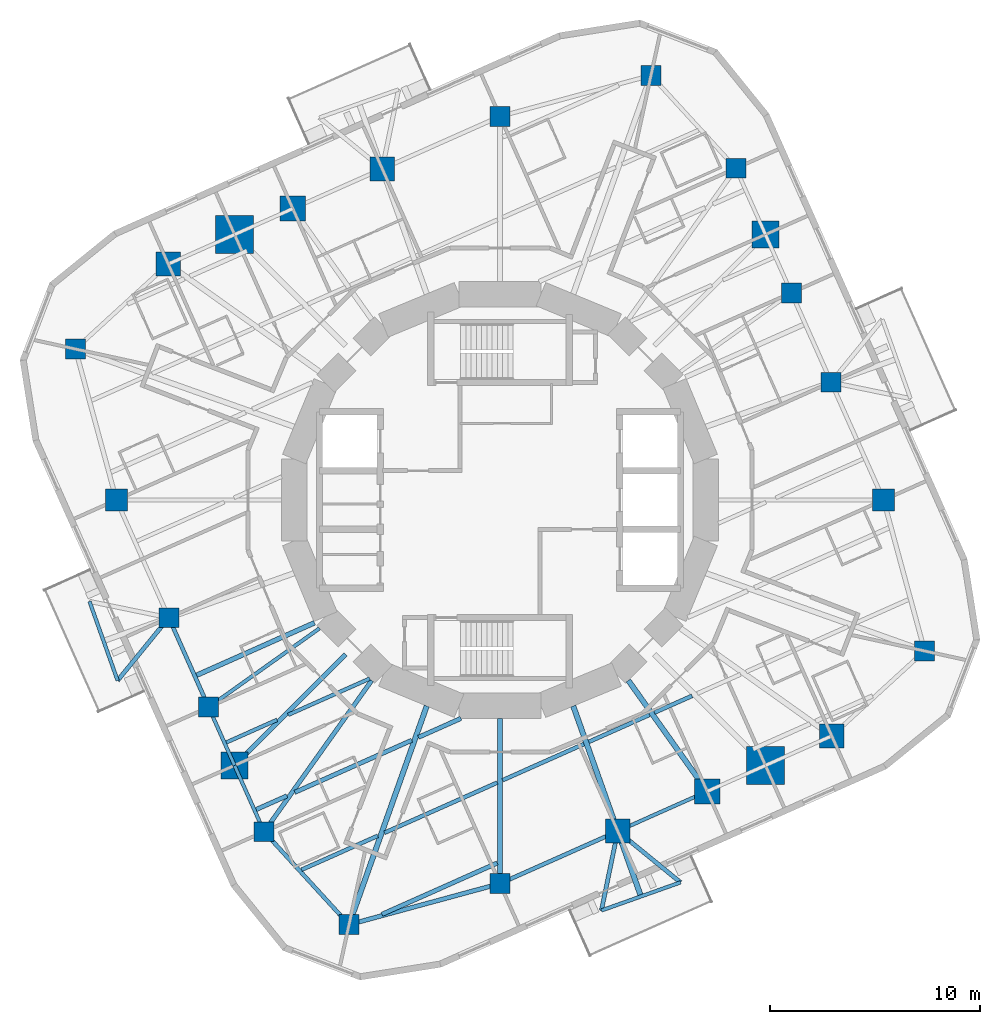
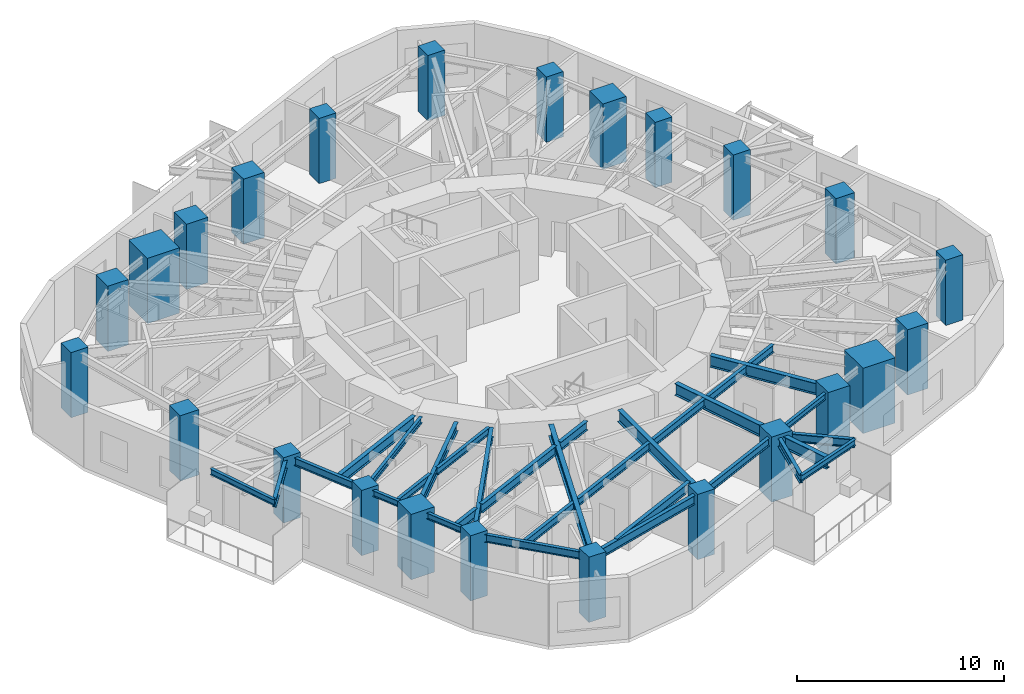
# One storey, part 1 of 12: 31 beams, 24 columns.
"""IFC4 building model written with IfcOpenShell, lengths in metres."""

from ifc_helpers import new_model, si_unit, direction, frame, origin, origin_2d, place, context, subcontext, project, spatial, rectangle, i_section, extrude, material, material_profile, profile_set, type_object, element, save


model = new_model("IFC4")

# Units and contexts
model_context = context("Model", 3, precision=1e-05, world=origin(), true_north=direction((0.0, 1.0)))
body_context = subcontext(model_context, "Body", "Model", "MODEL_VIEW")
ifc_project = project(units=[si_unit("LENGTHUNIT", "METRE"), si_unit("AREAUNIT", "SQUARE_METRE"), si_unit("VOLUMEUNIT", "CUBIC_METRE"), si_unit("PLANEANGLEUNIT", "RADIAN"), si_unit("MASSUNIT", "GRAM", prefix="KILO")], contexts=[model_context])

# Site, building, storey
site_placement = place(None, origin())
site = spatial("IfcSite", under=ifc_project, at=site_placement, CompositionType="ELEMENT")
building_placement = place(site_placement, origin())
building = spatial("IfcBuilding", under=site, at=building_placement, Name="Nakasero Lantern House", CompositionType="ELEMENT")
storey_placement = place(building_placement, frame((0.0, 0.0, 197.85009765625)))
storey = spatial("IfcBuildingStorey", under=building, at=storey_placement, Name="L48", CompositionType="ELEMENT", Elevation=197.85009765625)

# Columns
ifc_material_1 = material(Name="Concrete C45/55", Category="concrete")
ifc_material_profile_1 = material_profile(ifc_material_1, rectangle(XDim=1.300048828125, YDim=1.300048828125, at=origin_2d()), Name="RC 1300x1300")
ifc_profile_set_1 = profile_set([ifc_material_profile_1], Name="Concrete C45/55")
column_type_1 = type_object("IfcColumnType", Name="Mega column RC 1300x1300 C45/55", PredefinedType="COLUMN", material=ifc_profile_set_1)
for number, where, z_axis, x_axis, name in (
    (1, (12.64892578125, 12.64892578125, 0.0), (0.0, 0.0, 1.0), (1.0, 0.0, 0.0), "Column B5-C06 L48"),
    (2, (-12.64892578125, -12.64892578125, 0.0), (0.0, 0.0, 1.0), (1.0, 0.0, 0.0), "Column B5-C18 L48"),
):
    element("IfcColumn", number, at=place(storey_placement, frame(where, z_axis=z_axis, x_axis=x_axis)), inside=storey, type_object=column_type_1, Name=name, PredefinedType="COLUMN", context=body_context, shape_type="SweptSolid", body=[
        extrude(rectangle(XDim=1.300048828125, YDim=1.300048828125, at=origin_2d()), origin(), (0.0, 0.0, 1.0), 3.849853515625),
    ])
ifc_material_2 = material(Name="Concrete C45/55", Category="concrete")
ifc_material_profile_2 = material_profile(ifc_material_2, rectangle(XDim=1.800048828125, YDim=1.800048828125, at=origin_2d()), Name="RC 1800x1800")
ifc_profile_set_2 = profile_set([ifc_material_profile_2], Name="Concrete C45/55")
column_type_2 = type_object("IfcColumnType", Name="Mega column RC 1800x1800 C45/55", PredefinedType="COLUMN", material=ifc_profile_set_2)
for number, where, z_axis, x_axis, name in (
    (3, (-12.64892578125, 12.64892578125, 0.0), (0.0, 0.0, 1.0), (1.0, 0.0, 0.0), "Column B5-C12 L48"),
    (4, (12.64892578125, -12.64892578125, 0.0), (0.0, 0.0, 1.0), (1.0, 0.0, 0.0), "Column B5-C24 L48"),
):
    element("IfcColumn", number, at=place(storey_placement, frame(where, z_axis=z_axis, x_axis=x_axis)), inside=storey, type_object=column_type_2, Name=name, PredefinedType="COLUMN", context=body_context, shape_type="SweptSolid", body=[
        extrude(rectangle(XDim=1.800048828125, YDim=1.800048828125, at=origin_2d()), origin(), (0.0, 0.0, 1.0), 3.849853515625),
    ])
ifc_material_3 = material(Name="Concrete C45/55", Category="concrete")
ifc_material_profile_3 = material_profile(ifc_material_3, rectangle(XDim=1.050048828125, YDim=1.050048828125, at=origin_2d()), Name="RC 1050x1050")
ifc_profile_set_3 = profile_set([ifc_material_profile_3], Name="Concrete C45/55")
column_type_3 = type_object("IfcColumnType", Name="Ring column RC 1050x1050 C45/55", PredefinedType="COLUMN", material=ifc_profile_set_3)
for number, where, z_axis, x_axis, name in (
    (5, (18.280517578125, 0.0, 0.0), (0.0, 0.0, 1.0), (1.0, 0.0, 0.0), "Column B5-C03 L48"),
    (6, (-18.280517578125, 0.0, 0.0), (0.0, 0.0, 1.0), (1.0, 0.0, 0.0), "Column B5-C15 L48"),
):
    element("IfcColumn", number, at=place(storey_placement, frame(where, z_axis=z_axis, x_axis=x_axis)), inside=storey, type_object=column_type_3, Name=name, PredefinedType="COLUMN", context=body_context, shape_type="SweptSolid", body=[
        extrude(rectangle(XDim=1.050048828125, YDim=1.050048828125, at=origin_2d()), origin(), (0.0, 0.0, 1.0), 3.849853515625),
    ])
ifc_material_4 = material(Name="Concrete C45/55", Category="concrete")
ifc_material_profile_4 = material_profile(ifc_material_4, rectangle(XDim=1.14990234375, YDim=1.14990234375, at=origin_2d()), Name="RC 1150x1150")
ifc_profile_set_4 = profile_set([ifc_material_profile_4], Name="Concrete C45/55")
column_type_4 = type_object("IfcColumnType", Name="Ring column RC 1150x1150 C45/55", PredefinedType="COLUMN", material=ifc_profile_set_4)
for number, where, z_axis, x_axis, name in (
    (7, (15.808837890625, -11.241943359375, 0.0), (0.0, 0.0, 1.0), (1.0, 0.0, 0.0), "Column B5-C01 L48"),
    (8, (-5.611328125, 15.781982421875, 0.0), (0.0, 0.0, 1.0), (1.0, 0.0, 0.0), "Column B5-C10 L48"),
    (9, (-15.808837890625, 11.241943359375, 0.0), (0.0, 0.0, 1.0), (1.0, 0.0, 0.0), "Column B5-C13 L48"),
    (10, (5.611328125, -15.781982421875, 0.0), (0.0, 0.0, 1.0), (1.0, 0.0, 0.0), "Column B5-C22 L48"),
):
    element("IfcColumn", number, at=place(storey_placement, frame(where, z_axis=z_axis, x_axis=x_axis)), inside=storey, type_object=column_type_4, Name=name, PredefinedType="COLUMN", context=body_context, shape_type="SweptSolid", body=[
        extrude(rectangle(XDim=1.14990234375, YDim=1.14990234375, at=origin_2d()), origin(), (0.0, 0.0, 1.0), 3.849853515625),
    ])
ifc_material_5 = material(Name="Concrete C45/55", Category="concrete")
ifc_material_profile_5 = material_profile(ifc_material_5, rectangle(XDim=1.199951171875, YDim=1.199951171875, at=origin_2d()), Name="RC 1200x1200")
ifc_profile_set_5 = profile_set([ifc_material_profile_5], Name="Concrete C45/55")
column_type_5 = type_object("IfcColumnType", Name="Ring column RC 1200x1200 C45/55", PredefinedType="COLUMN", material=ifc_profile_set_5)
for number, where, z_axis, x_axis, name in (
    (11, (-9.87353515625, 13.884521484375, 0.0), (0.0, 0.0, 1.0), (1.0, 0.0, 0.0), "Column B5-C11 L48"),
    (12, (9.87353515625, -13.884521484375, 0.0), (0.0, 0.0, 1.0), (1.0, 0.0, 0.0), "Column B5-C23 L48"),
):
    element("IfcColumn", number, at=place(storey_placement, frame(where, z_axis=z_axis, x_axis=x_axis)), inside=storey, type_object=column_type_5, Name=name, PredefinedType="COLUMN", context=body_context, shape_type="SweptSolid", body=[
        extrude(rectangle(XDim=1.199951171875, YDim=1.199951171875, at=origin_2d()), origin(), (0.0, 0.0, 1.0), 3.849853515625),
    ])
ifc_material_6 = material(Name="Concrete C45/55", Category="concrete")
ifc_material_profile_6 = material_profile(ifc_material_6, rectangle(XDim=0.949951171875, YDim=0.949951171875, at=origin_2d()), Name="RC 950x950")
ifc_profile_set_6 = profile_set([ifc_material_profile_6], Name="Concrete C45/55")
column_type_6 = type_object("IfcColumnType", Name="Ring column RC 950x950 C45/55", PredefinedType="COLUMN", material=ifc_profile_set_6)
for number, where, z_axis, x_axis, name in (
    (13, (20.2353515625, -7.19482421875, 0.0), (0.0, 0.0, 1.0), (1.0, 0.0, 0.0), "Column B5-C02 L48"),
    (14, (15.781982421875, 5.611328125, 0.0), (0.0, 0.0, 1.0), (1.0, 0.0, 0.0), "Column B5-C04 L48"),
    (15, (13.884521484375, 9.87353515625, 0.0), (0.0, 0.0, 1.0), (1.0, 0.0, 0.0), "Column B5-C05 L48"),
    (16, (11.241943359375, 15.808837890625, 0.0), (0.0, 0.0, 1.0), (1.0, 0.0, 0.0), "Column B5-C07 L48"),
    (17, (7.19482421875, 20.2353515625, 0.0), (0.0, 0.0, 1.0), (1.0, 0.0, 0.0), "Column B5-C08 L48"),
    (18, (0.0, 18.280517578125, 0.0), (0.0, 0.0, 1.0), (1.0, 0.0, 0.0), "Column B5-C09 L48"),
    (19, (-20.2353515625, 7.19482421875, 0.0), (0.0, 0.0, 1.0), (1.0, 0.0, 0.0), "Column B5-C14 L48"),
    (20, (-15.781982421875, -5.611328125, 0.0), (0.0, 0.0, 1.0), (1.0, 0.0, 0.0), "Column B5-C16 L48"),
    (21, (-13.884521484375, -9.87353515625, 0.0), (0.0, 0.0, 1.0), (1.0, 0.0, 0.0), "Column B5-C17 L48"),
    (22, (-11.241943359375, -15.808837890625, 0.0), (0.0, 0.0, 1.0), (1.0, 0.0, 0.0), "Column B5-C19 L48"),
    (23, (-7.19482421875, -20.2353515625, 0.0), (0.0, 0.0, 1.0), (1.0, 0.0, 0.0), "Column B5-C20 L48"),
    (24, (0.0, -18.280517578125, 0.0), (0.0, 0.0, 1.0), (1.0, 0.0, 0.0), "Column B5-C21 L48"),
):
    element("IfcColumn", number, at=place(storey_placement, frame(where, z_axis=z_axis, x_axis=x_axis)), inside=storey, type_object=column_type_6, Name=name, PredefinedType="COLUMN", context=body_context, shape_type="SweptSolid", body=[
        extrude(rectangle(XDim=0.949951171875, YDim=0.949951171875, at=origin_2d()), origin(), (0.0, 0.0, 1.0), 3.849853515625),
    ])

# Beams
ifc_material_7 = material(Name="Steel S355", Category="steel")
ifc_material_profile_7 = material_profile(ifc_material_7, i_section(OverallWidth=0.199462890625, OverallDepth=0.491943359375, WebThickness=0.01806640625, FlangeThickness=0.031982421875, FilletRadius=0.01025390625, at=origin_2d()), Name="UB 457x191x161")
ifc_profile_set_7 = profile_set([ifc_material_profile_7], Name="Steel S355")
beam_type_1 = type_object("IfcBeamType", Name="Balcony splay beam UB 457x191x161", PredefinedType="BEAM", material=ifc_profile_set_7)
for number, where, z_axis, x_axis, name in (
    (25, (-15.781982421875, -5.611328125, 3.40380859375), (-0.632165712937, -0.774833215206, 0.0), (0.774833215206, -0.632165712937, 0.0), "Balcony splay beam L49 B5-C16A"),
    (26, (5.611328125, -15.781982421875, 3.40380859375), (0.774833215206, -0.632165712937, 0.0), (0.632165712937, 0.774833215206, 0.0), "Balcony splay beam L49 B5-C22A"),
):
    element("IfcBeam", number, at=place(storey_placement, frame(where, z_axis=z_axis, x_axis=x_axis)), inside=storey, type_object=beam_type_1, Name=name, PredefinedType="BEAM", context=body_context, shape_type="SweptSolid", body=[
        extrude(i_section(OverallWidth=0.199462890625, OverallDepth=0.491943359375, WebThickness=0.01806640625, FlangeThickness=0.031982421875, FilletRadius=0.01025390625, at=origin_2d()), origin(), (0.0, 0.0, 1.0), 3.85888671875),
    ])
beam_1_placement = place(storey_placement, frame((5.611328125, -15.781982421875, 3.40380859375), z_axis=(-0.201831438605, -0.979420272605, 0.0), x_axis=(0.979420272605, -0.201831438605, 0.0)))
element("IfcBeam", 27, at=beam_1_placement, inside=storey, type_object=beam_type_1, Name="Balcony splay beam L49 B5-C22B", PredefinedType="BEAM", context=body_context, shape_type="SweptSolid", body=[
    extrude(i_section(OverallWidth=0.199462890625, OverallDepth=0.491943359375, WebThickness=0.01806640625, FlangeThickness=0.031982421875, FilletRadius=0.01025390625, at=origin_2d()), origin(), (0.0, 0.0, 1.0), 3.858642578125),
])
ifc_material_8 = material(Name="Steel S355", Category="steel")
ifc_material_profile_8 = material_profile(ifc_material_8, i_section(OverallWidth=0.17138671875, OverallDepth=0.35498046875, WebThickness=0.00732421875, FlangeThickness=0.011474609375, FilletRadius=0.01025390625, at=origin_2d()), Name="UB 356x171x51")
ifc_profile_set_8 = profile_set([ifc_material_profile_8], Name="Steel S355")
beam_type_2 = type_object("IfcBeamType", Name="Balcony tie beam UB 356x171x51", PredefinedType="BEAM", material=ifc_profile_set_8)
for number, where, z_axis, x_axis, name in (
    (28, (-18.221435546875, -8.601318359375, 3.472412109375), (-0.334971134582, 0.94222839004, 0.0), (-0.94222839004, -0.334971134582, 0.0), "Balcony tie beam L49 B5-C16"),
    (29, (8.601318359375, -18.221435546875, 3.472412109375), (-0.94222839004, -0.334971134582, 0.0), (0.334971134582, -0.94222839004, 0.0), "Balcony tie beam L49 B5-C22"),
):
    element("IfcBeam", number, at=place(storey_placement, frame(where, z_axis=z_axis, x_axis=x_axis)), inside=storey, type_object=beam_type_2, Name=name, PredefinedType="BEAM", context=body_context, shape_type="SweptSolid", body=[
        extrude(i_section(OverallWidth=0.17138671875, OverallDepth=0.35498046875, WebThickness=0.00732421875, FlangeThickness=0.011474609375, FilletRadius=0.01025390625, at=origin_2d()), origin(), (0.0, 0.0, 1.0), 4.0),
    ])
ifc_material_9 = material(Name="Steel S355", Category="steel")
ifc_material_profile_9 = material_profile(ifc_material_9, i_section(OverallWidth=0.177978515625, OverallDepth=0.406494140625, WebThickness=0.0078125, FlangeThickness=0.0126953125, FilletRadius=0.01025390625, at=origin_2d()), Name="UB 406x178x60")
ifc_profile_set_9 = profile_set([ifc_material_profile_9], Name="Steel S355")
beam_type_3 = type_object("IfcBeamType", Name="Infill beam UB 406x178x60", PredefinedType="JOIST", material=ifc_profile_set_9)
beam_2_placement = place(storey_placement, frame((-13.04248046875, -11.5537109375, 3.44677734375), z_axis=(0.913529602849, 0.406772251658, 0.0), x_axis=(-0.406772251658, 0.913529602849, 0.0)))
element("IfcBeam", 30, at=beam_2_placement, inside=storey, type_object=beam_type_3, Name="Infill beam L49 06.1", PredefinedType="JOIST", context=body_context, shape_type="SweptSolid", body=[
    extrude(i_section(OverallWidth=0.177978515625, OverallDepth=0.406494140625, WebThickness=0.0078125, FlangeThickness=0.0126953125, FilletRadius=0.01025390625, at=origin_2d()), origin(), (0.0, 0.0, 1.0), 2.64453125),
])
beam_3_placement = place(storey_placement, frame((-10.09130859375, -10.23974609375, 3.44677734375), z_axis=(0.91354134882, 0.406745871517, 0.0), x_axis=(-0.406745871517, 0.91354134882, 0.0)))
element("IfcBeam", 31, at=beam_3_placement, inside=storey, type_object=beam_type_3, Name="Infill beam L49 06.2", PredefinedType="JOIST", context=body_context, shape_type="SweptSolid", body=[
    extrude(i_section(OverallWidth=0.177978515625, OverallDepth=0.406494140625, WebThickness=0.0078125, FlangeThickness=0.0126953125, FilletRadius=0.01025390625, at=origin_2d()), origin(), (0.0, 0.0, 1.0), 4.250732421875),
])
ifc_material_10 = material(Name="Steel S355", Category="steel")
ifc_material_profile_10 = material_profile(ifc_material_10, i_section(OverallWidth=0.18994140625, OverallDepth=0.453369140625, WebThickness=0.008544921875, FlangeThickness=0.0126953125, FilletRadius=0.01025390625, at=origin_2d()), Name="UB 457x191x67")
ifc_profile_set_10 = profile_set([ifc_material_profile_10], Name="Steel S355")
beam_type_4 = type_object("IfcBeamType", Name="Infill beam UB 457x191x67", PredefinedType="JOIST", material=ifc_profile_set_10)
beam_4_placement = place(storey_placement, frame((-9.457275390625, -17.619873046875, 3.423095703125), z_axis=(0.91354552237, 0.406736497695, 0.0), x_axis=(-0.406736497695, 0.91354552237, 0.0)))
element("IfcBeam", 32, at=beam_4_placement, inside=storey, type_object=beam_type_4, Name="Infill beam L49 04.1", PredefinedType="JOIST", context=body_context, shape_type="SweptSolid", body=[
    extrude(i_section(OverallWidth=0.18994140625, OverallDepth=0.453369140625, WebThickness=0.008544921875, FlangeThickness=0.0126953125, FilletRadius=0.01025390625, at=origin_2d()), origin(), (0.0, 0.0, 1.0), 3.9765625),
])
beam_5_placement = place(storey_placement, frame((-5.50439453125, -15.860107421875, 3.423095703125), z_axis=(0.913539401307, 0.406750245556, 0.0), x_axis=(-0.406750245556, 0.913539401307, 0.0)))
element("IfcBeam", 33, at=beam_5_placement, inside=storey, type_object=beam_type_4, Name="Infill beam L49 04.2", PredefinedType="JOIST", context=body_context, shape_type="SweptSolid", body=[
    extrude(i_section(OverallWidth=0.18994140625, OverallDepth=0.453369140625, WebThickness=0.008544921875, FlangeThickness=0.0126953125, FilletRadius=0.01025390625, at=origin_2d()), origin(), (0.0, 0.0, 1.0), 5.886474609375),
])
beam_6_placement = place(storey_placement, frame((0.126953125, -13.352783203125, 3.423095703125), z_axis=(0.913552455182, 0.40672092598, 0.0), x_axis=(-0.40672092598, 0.913552455182, 0.0)))
element("IfcBeam", 34, at=beam_6_placement, inside=storey, type_object=beam_type_4, Name="Infill beam L49 04.3", PredefinedType="JOIST", context=body_context, shape_type="SweptSolid", body=[
    extrude(i_section(OverallWidth=0.18994140625, OverallDepth=0.453369140625, WebThickness=0.008544921875, FlangeThickness=0.0126953125, FilletRadius=0.01025390625, at=origin_2d()), origin(), (0.0, 0.0, 1.0), 4.238525390625),
])
beam_7_placement = place(storey_placement, frame((4.2333984375, -11.5244140625, 3.423095703125), z_axis=(0.913544106346, 0.406739678123, 0.0), x_axis=(-0.406739678123, 0.913544106346, 0.0)))
element("IfcBeam", 35, at=beam_7_placement, inside=storey, type_object=beam_type_4, Name="Infill beam L49 04.4", PredefinedType="JOIST", context=body_context, shape_type="SweptSolid", body=[
    extrude(i_section(OverallWidth=0.18994140625, OverallDepth=0.453369140625, WebThickness=0.008544921875, FlangeThickness=0.0126953125, FilletRadius=0.01025390625, at=origin_2d()), origin(), (0.0, 0.0, 1.0), 3.16455078125),
])
beam_8_placement = place(storey_placement, frame((7.360595703125, -10.132080078125, 3.423095703125), z_axis=(0.913539401307, 0.406750245556, 0.0), x_axis=(-0.406750245556, 0.913539401307, 0.0)))
element("IfcBeam", 36, at=beam_8_placement, inside=storey, type_object=beam_type_4, Name="Infill beam L49 04.5", PredefinedType="JOIST", context=body_context, shape_type="SweptSolid", body=[
    extrude(i_section(OverallWidth=0.18994140625, OverallDepth=0.453369140625, WebThickness=0.008544921875, FlangeThickness=0.0126953125, FilletRadius=0.01025390625, at=origin_2d()), origin(), (0.0, 0.0, 1.0), 1.962158203125),
])
ifc_material_11 = material(Name="Steel S355", Category="steel")
ifc_material_profile_11 = material_profile(ifc_material_11, i_section(OverallWidth=0.2099609375, OverallDepth=0.53662109375, WebThickness=0.0107421875, FlangeThickness=0.017333984375, FilletRadius=0.0126953125, at=origin_2d()), Name="UB 533x210x101")
ifc_profile_set_11 = profile_set([ifc_material_profile_11], Name="Steel S355")
beam_type_5 = type_object("IfcBeamType", Name="Infill beam UB 533x210x101", PredefinedType="JOIST", material=ifc_profile_set_11)
beam_9_placement = place(storey_placement, frame((-5.626708984375, -19.745849609375, 3.381591796875), z_axis=(0.913540433669, 0.406747926919, 0.0), x_axis=(-0.406747926919, 0.913540433669, 0.0)))
element("IfcBeam", 37, at=beam_9_placement, inside=storey, type_object=beam_type_5, Name="Infill beam L49 03.1", PredefinedType="JOIST", context=body_context, shape_type="SweptSolid", body=[
    extrude(i_section(OverallWidth=0.2099609375, OverallDepth=0.53662109375, WebThickness=0.0107421875, FlangeThickness=0.017333984375, FilletRadius=0.0126953125, at=origin_2d()), origin(), (0.0, 0.0, 1.0), 6.020263671875),
])
ifc_material_12 = material(Name="Steel S355", Category="steel")
ifc_material_profile_12 = material_profile(ifc_material_12, i_section(OverallWidth=0.208740234375, OverallDepth=0.5283203125, WebThickness=0.009521484375, FlangeThickness=0.01318359375, FilletRadius=0.0126953125, at=origin_2d()), Name="UB 533x210x82")
ifc_profile_set_12 = profile_set([ifc_material_profile_12], Name="Steel S355")
beam_type_6 = type_object("IfcBeamType", Name="Infill beam UB 533x210x82", PredefinedType="JOIST", material=ifc_profile_set_12)
beam_10_placement = place(storey_placement, frame((-11.618896484375, -14.751220703125, 3.3857421875), z_axis=(0.913522313414, 0.406788621884, 0.0), x_axis=(-0.406788621884, 0.913522313414, 0.0)))
element("IfcBeam", 38, at=beam_10_placement, inside=storey, type_object=beam_type_6, Name="Infill beam L49 05.1", PredefinedType="JOIST", context=body_context, shape_type="SweptSolid", body=[
    extrude(i_section(OverallWidth=0.208740234375, OverallDepth=0.5283203125, WebThickness=0.009521484375, FlangeThickness=0.01318359375, FilletRadius=0.0126953125, at=origin_2d()), origin(), (0.0, 0.0, 1.0), 1.6025390625),
])
beam_11_placement = place(storey_placement, frame((-9.778076171875, -13.931640625, 3.3857421875), z_axis=(0.913537341067, 0.406754872713, 0.0), x_axis=(-0.406754872713, 0.913537341067, 0.0)))
element("IfcBeam", 39, at=beam_11_placement, inside=storey, type_object=beam_type_6, Name="Infill beam L49 05.2", PredefinedType="JOIST", context=body_context, shape_type="SweptSolid", body=[
    extrude(i_section(OverallWidth=0.208740234375, OverallDepth=0.5283203125, WebThickness=0.009521484375, FlangeThickness=0.01318359375, FilletRadius=0.0126953125, at=origin_2d()), origin(), (0.0, 0.0, 1.0), 6.099365234375),
])
beam_12_placement = place(storey_placement, frame((-3.885986328125, -11.308349609375, 3.3857421875), z_axis=(0.913538457968, 0.406752364238, 0.0), x_axis=(-0.406752364238, 0.913538457968, 0.0)))
element("IfcBeam", 40, at=beam_12_placement, inside=storey, type_object=beam_type_6, Name="Infill beam L49 05.3", PredefinedType="JOIST", context=body_context, shape_type="SweptSolid", body=[
    extrude(i_section(OverallWidth=0.208740234375, OverallDepth=0.5283203125, WebThickness=0.009521484375, FlangeThickness=0.01318359375, FilletRadius=0.0126953125, at=origin_2d()), origin(), (0.0, 0.0, 1.0), 2.213623046875),
])
ifc_material_13 = material(Name="Steel S355", Category="steel")
ifc_material_profile_13 = material_profile(ifc_material_13, i_section(OverallWidth=0.22900390625, OverallDepth=0.6123046875, WebThickness=0.011962890625, FlangeThickness=0.01953125, FilletRadius=0.0126953125, at=origin_2d()), Name="UB 610x229x125")
ifc_profile_set_13 = profile_set([ifc_material_profile_13], Name="Steel S355")
beam_type_7 = type_object("IfcBeamType", Name="Infill beam UB 610x229x125", PredefinedType="JOIST", material=ifc_profile_set_13)
beam_13_placement = place(storey_placement, frame((-14.457763671875, -8.3525390625, 3.34375), z_axis=(0.913552627294, 0.406720539393, 0.0), x_axis=(-0.406720539393, 0.913552627294, 0.0)))
element("IfcBeam", 41, at=beam_13_placement, inside=storey, type_object=beam_type_7, Name="Infill beam L49 07.1", PredefinedType="JOIST", context=body_context, shape_type="SweptSolid", body=[
    extrude(i_section(OverallWidth=0.22900390625, OverallDepth=0.6123046875, WebThickness=0.011962890625, FlangeThickness=0.01953125, FilletRadius=0.0126953125, at=origin_2d()), origin(), (0.0, 0.0, 1.0), 6.14794921875),
])
ifc_material_14 = material(Name="Steel S355", Category="steel")
ifc_material_profile_14 = material_profile(ifc_material_14, i_section(OverallWidth=0.17138671875, OverallDepth=0.35498046875, WebThickness=0.00732421875, FlangeThickness=0.011474609375, FilletRadius=0.01025390625, at=origin_2d()), Name="UB 356x171x51")
ifc_profile_set_14 = profile_set([ifc_material_profile_14], Name="Steel S355")
beam_type_8 = type_object("IfcBeamType", Name="Primary beam UB 356x171x51, span 6 to 9 m", PredefinedType="BEAM", material=ifc_profile_set_14)
beam_14_placement = place(storey_placement, frame((-13.884521484375, -9.87353515625, 3.472412109375), z_axis=(0.8149430702, 0.57954101868, 0.0), x_axis=(-0.57954101868, 0.8149430702, 0.0)))
element("IfcBeam", 42, at=beam_14_placement, inside=storey, type_object=beam_type_8, Name="Primary beam L49 B5-C17", PredefinedType="BEAM", context=body_context, shape_type="SweptSolid", body=[
    extrude(i_section(OverallWidth=0.17138671875, OverallDepth=0.35498046875, WebThickness=0.00732421875, FlangeThickness=0.011474609375, FilletRadius=0.01025390625, at=origin_2d()), origin(), (0.0, 0.0, 1.0), 6.48193359375),
])
ifc_material_15 = material(Name="Steel S355", Category="steel")
ifc_material_profile_15 = material_profile(ifc_material_15, i_section(OverallWidth=0.2099609375, OverallDepth=0.53662109375, WebThickness=0.0107421875, FlangeThickness=0.017333984375, FilletRadius=0.0126953125, at=origin_2d()), Name="UB 533x210x101")
ifc_profile_set_15 = profile_set([ifc_material_profile_15], Name="Steel S355")
beam_type_9 = type_object("IfcBeamType", Name="Primary beam UB 533x210x101, span 6 to 9 m", PredefinedType="BEAM", material=ifc_profile_set_15)
beam_15_placement = place(storey_placement, frame((-12.64892578125, -12.64892578125, 3.381591796875), z_axis=(0.707106781187, 0.707106781187, 0.0), x_axis=(-0.707106781187, 0.707106781187, 0.0)))
element("IfcBeam", 43, at=beam_15_placement, inside=storey, type_object=beam_type_9, Name="Primary beam L49 B5-C18", PredefinedType="BEAM", context=body_context, shape_type="SweptSolid", body=[
    extrude(i_section(OverallWidth=0.2099609375, OverallDepth=0.53662109375, WebThickness=0.0107421875, FlangeThickness=0.017333984375, FilletRadius=0.0126953125, at=origin_2d()), origin(), (0.0, 0.0, 1.0), 7.48046875),
])
beam_16_placement = place(storey_placement, frame((-11.241943359375, -15.808837890625, 3.381591796875), z_axis=(0.579536824926, 0.814946052543, 0.0), x_axis=(-0.814946052543, 0.579536824926, 0.0)))
element("IfcBeam", 44, at=beam_16_placement, inside=storey, type_object=beam_type_9, Name="Primary beam L49 B5-C19", PredefinedType="BEAM", context=body_context, shape_type="SweptSolid", body=[
    extrude(i_section(OverallWidth=0.2099609375, OverallDepth=0.53662109375, WebThickness=0.0107421875, FlangeThickness=0.017333984375, FilletRadius=0.0126953125, at=origin_2d()), origin(), (0.0, 0.0, 1.0), 8.84326171875),
])
ifc_material_16 = material(Name="Steel S355", Category="steel")
ifc_material_profile_16 = material_profile(ifc_material_16, i_section(OverallWidth=0.253662109375, OverallDepth=0.68359375, WebThickness=0.012451171875, FlangeThickness=0.01904296875, FilletRadius=0.01513671875, at=origin_2d()), Name="UB 686x254x140")
ifc_profile_set_16 = profile_set([ifc_material_profile_16], Name="Steel S355")
beam_type_10 = type_object("IfcBeamType", Name="Primary beam UB 686x254x140, span 6 to 9 m", PredefinedType="BEAM", material=ifc_profile_set_16)
beam_17_placement = place(storey_placement, frame((0.0, -18.280517578125, 3.30810546875), z_axis=(0.0, 1.0, 0.0), x_axis=(-1.0, 0.0, 0.0)))
element("IfcBeam", 45, at=beam_17_placement, inside=storey, type_object=beam_type_10, Name="Primary beam L49 B5-C21", PredefinedType="BEAM", context=body_context, shape_type="SweptSolid", body=[
    extrude(i_section(OverallWidth=0.253662109375, OverallDepth=0.68359375, WebThickness=0.012451171875, FlangeThickness=0.01904296875, FilletRadius=0.01513671875, at=origin_2d()), origin(), (0.0, 0.0, 1.0), 7.87255859375),
])
beam_18_placement = place(storey_placement, frame((9.87353515625, -13.884521484375, 3.30810546875), z_axis=(-0.57954101868, 0.8149430702, 0.0), x_axis=(-0.8149430702, -0.57954101868, 0.0)))
element("IfcBeam", 46, at=beam_18_placement, inside=storey, type_object=beam_type_10, Name="Primary beam L49 B5-C23", PredefinedType="BEAM", context=body_context, shape_type="SweptSolid", body=[
    extrude(i_section(OverallWidth=0.253662109375, OverallDepth=0.68359375, WebThickness=0.012451171875, FlangeThickness=0.01904296875, FilletRadius=0.01513671875, at=origin_2d()), origin(), (0.0, 0.0, 1.0), 6.48193359375),
])
ifc_material_17 = material(Name="Steel S355", Category="steel")
ifc_material_profile_17 = material_profile(ifc_material_17, i_section(OverallWidth=0.253662109375, OverallDepth=0.68359375, WebThickness=0.012451171875, FlangeThickness=0.01904296875, FilletRadius=0.01513671875, at=origin_2d()), Name="UB 686x254x140")
ifc_profile_set_17 = profile_set([ifc_material_profile_17], Name="Steel S355")
beam_type_11 = type_object("IfcBeamType", Name="Primary beam UB 686x254x140, span 9 to 12 m", PredefinedType="BEAM", material=ifc_profile_set_17)
beam_19_placement = place(storey_placement, frame((-7.19482421875, -20.2353515625, 3.30810546875), z_axis=(0.335020995468, 0.942210662535, 0.0), x_axis=(-0.942210662535, 0.335020995468, 0.0)))
element("IfcBeam", 47, at=beam_19_placement, inside=storey, type_object=beam_type_11, Name="Primary beam L49 B5-C20", PredefinedType="BEAM", context=body_context, shape_type="SweptSolid", body=[
    extrude(i_section(OverallWidth=0.253662109375, OverallDepth=0.68359375, WebThickness=0.012451171875, FlangeThickness=0.01904296875, FilletRadius=0.01513671875, at=origin_2d()), origin(), (0.0, 0.0, 1.0), 11.054931640625),
])
ifc_material_18 = material(Name="Steel S355", Category="steel")
ifc_material_profile_18 = material_profile(ifc_material_18, i_section(OverallWidth=0.255859375, OverallDepth=0.69287109375, WebThickness=0.014404296875, FlangeThickness=0.023681640625, FilletRadius=0.01513671875, at=origin_2d()), Name="UB 686x254x170")
ifc_profile_set_18 = profile_set([ifc_material_profile_18], Name="Steel S355")
beam_type_12 = type_object("IfcBeamType", Name="Primary beam UB 686x254x170, span 6 to 9 m", PredefinedType="BEAM", material=ifc_profile_set_18)
beam_20_placement = place(storey_placement, frame((6.717041015625, -18.891357421875, 3.303466796875), z_axis=(-0.335030177005, 0.942207397814, 0.0), x_axis=(-0.942207397814, -0.335030177005, 0.0)))
element("IfcBeam", 48, at=beam_20_placement, inside=storey, type_object=beam_type_12, Name="Primary beam L49 B5-C22", PredefinedType="BEAM", context=body_context, shape_type="SweptSolid", body=[
    extrude(i_section(OverallWidth=0.255859375, OverallDepth=0.69287109375, WebThickness=0.014404296875, FlangeThickness=0.023681640625, FilletRadius=0.01513671875, at=origin_2d()), origin(), (0.0, 0.0, 1.0), 9.62841796875),
])
ifc_material_19 = material(Name="Steel S355", Category="steel")
ifc_material_profile_19 = material_profile(ifc_material_19, i_section(OverallWidth=0.17138671875, OverallDepth=0.35498046875, WebThickness=0.00732421875, FlangeThickness=0.011474609375, FilletRadius=0.01025390625, at=origin_2d()), Name="UB 356x171x51")
ifc_profile_set_19 = profile_set([ifc_material_profile_19], Name="Steel S355")
beam_type_13 = type_object("IfcBeamType", Name="Ring beam UB 356x171x51", PredefinedType="BEAM", material=ifc_profile_set_19)
beam_21_placement = place(storey_placement, frame((-13.884521484375, -9.87353515625, 3.472412109375), z_axis=(0.40671251915, -0.913556197925, 0.0), x_axis=(0.913556197925, 0.40671251915, 0.0)))
element("IfcBeam", 49, at=beam_21_placement, inside=storey, type_object=beam_type_13, Name="Ring beam L49 B5-C17", PredefinedType="BEAM", context=body_context, shape_type="SweptSolid", body=[
    extrude(i_section(OverallWidth=0.17138671875, OverallDepth=0.35498046875, WebThickness=0.00732421875, FlangeThickness=0.011474609375, FilletRadius=0.01025390625, at=origin_2d()), origin(), (0.0, 0.0, 1.0), 3.0380859375),
])
beam_22_placement = place(storey_placement, frame((-12.64892578125, -12.64892578125, 3.472412109375), z_axis=(0.406760506795, -0.913534832457, 0.0), x_axis=(0.913534832457, 0.406760506795, 0.0)))
element("IfcBeam", 50, at=beam_22_placement, inside=storey, type_object=beam_type_13, Name="Ring beam L49 B5-C18", PredefinedType="BEAM", context=body_context, shape_type="SweptSolid", body=[
    extrude(i_section(OverallWidth=0.17138671875, OverallDepth=0.35498046875, WebThickness=0.00732421875, FlangeThickness=0.011474609375, FilletRadius=0.01025390625, at=origin_2d()), origin(), (0.0, 0.0, 1.0), 3.458984375),
])
beam_23_placement = place(storey_placement, frame((5.611328125, -15.781982421875, 3.472412109375), z_axis=(0.913561058639, 0.406701600856, 0.0), x_axis=(-0.406701600856, 0.913561058639, 0.0)))
element("IfcBeam", 51, at=beam_23_placement, inside=storey, type_object=beam_type_13, Name="Ring beam L49 B5-C22", PredefinedType="BEAM", context=body_context, shape_type="SweptSolid", body=[
    extrude(i_section(OverallWidth=0.17138671875, OverallDepth=0.35498046875, WebThickness=0.00732421875, FlangeThickness=0.011474609375, FilletRadius=0.01025390625, at=origin_2d()), origin(), (0.0, 0.0, 1.0), 4.66552734375),
])
ifc_material_20 = material(Name="Steel S355", Category="steel")
ifc_material_profile_20 = material_profile(ifc_material_20, i_section(OverallWidth=0.18994140625, OverallDepth=0.453369140625, WebThickness=0.008544921875, FlangeThickness=0.0126953125, FilletRadius=0.01025390625, at=origin_2d()), Name="UB 457x191x67")
ifc_profile_set_20 = profile_set([ifc_material_profile_20], Name="Steel S355")
beam_type_14 = type_object("IfcBeamType", Name="Ring beam UB 457x191x67", PredefinedType="BEAM", material=ifc_profile_set_20)
beam_24_placement = place(storey_placement, frame((-15.781982421875, -5.611328125, 3.423095703125), z_axis=(0.406701600856, -0.913561058639, 0.0), x_axis=(0.913561058639, 0.406701600856, 0.0)))
element("IfcBeam", 52, at=beam_24_placement, inside=storey, type_object=beam_type_14, Name="Ring beam L49 B5-C16", PredefinedType="BEAM", context=body_context, shape_type="SweptSolid", body=[
    extrude(i_section(OverallWidth=0.18994140625, OverallDepth=0.453369140625, WebThickness=0.008544921875, FlangeThickness=0.0126953125, FilletRadius=0.01025390625, at=origin_2d()), origin(), (0.0, 0.0, 1.0), 4.66552734375),
])
beam_25_placement = place(storey_placement, frame((-11.241943359375, -15.808837890625, 3.423095703125), z_axis=(0.674771099966, -0.73802707447, 0.0), x_axis=(0.73802707447, 0.674771099966, 0.0)))
element("IfcBeam", 53, at=beam_25_placement, inside=storey, type_object=beam_type_14, Name="Ring beam L49 B5-C19", PredefinedType="BEAM", context=body_context, shape_type="SweptSolid", body=[
    extrude(i_section(OverallWidth=0.18994140625, OverallDepth=0.453369140625, WebThickness=0.008544921875, FlangeThickness=0.0126953125, FilletRadius=0.01025390625, at=origin_2d()), origin(), (0.0, 0.0, 1.0), 5.997802734375),
])
ifc_material_21 = material(Name="Steel S355", Category="steel")
ifc_material_profile_21 = material_profile(ifc_material_21, i_section(OverallWidth=0.19140625, OverallDepth=0.4599609375, WebThickness=0.010009765625, FlangeThickness=0.01611328125, FilletRadius=0.01025390625, at=origin_2d()), Name="UB 457x191x82")
ifc_profile_set_21 = profile_set([ifc_material_profile_21], Name="Steel S355")
beam_type_15 = type_object("IfcBeamType", Name="Ring beam UB 457x191x82", PredefinedType="BEAM", material=ifc_profile_set_21)
beam_26_placement = place(storey_placement, frame((0.0, -18.280517578125, 3.419921875), z_axis=(0.913532698569, 0.406765299215, 0.0), x_axis=(-0.406765299215, 0.913532698569, 0.0)))
element("IfcBeam", 54, at=beam_26_placement, inside=storey, type_object=beam_type_15, Name="Ring beam L49 B5-C21", PredefinedType="BEAM", context=body_context, shape_type="SweptSolid", body=[
    extrude(i_section(OverallWidth=0.19140625, OverallDepth=0.4599609375, WebThickness=0.010009765625, FlangeThickness=0.01611328125, FilletRadius=0.01025390625, at=origin_2d()), origin(), (0.0, 0.0, 1.0), 6.142333984375),
])
ifc_material_22 = material(Name="Steel S355", Category="steel")
ifc_material_profile_22 = material_profile(ifc_material_22, i_section(OverallWidth=0.208740234375, OverallDepth=0.5283203125, WebThickness=0.009521484375, FlangeThickness=0.01318359375, FilletRadius=0.0126953125, at=origin_2d()), Name="UB 533x210x82")
ifc_profile_set_22 = profile_set([ifc_material_profile_22], Name="Steel S355")
beam_type_16 = type_object("IfcBeamType", Name="Ring beam UB 533x210x82", PredefinedType="BEAM", material=ifc_profile_set_22)
beam_27_placement = place(storey_placement, frame((-7.19482421875, -20.2353515625, 3.3857421875), z_axis=(0.965015017941, 0.26219461312, 0.0), x_axis=(-0.26219461312, 0.965015017941, 0.0)))
element("IfcBeam", 55, at=beam_27_placement, inside=storey, type_object=beam_type_16, Name="Ring beam L49 B5-C20", PredefinedType="BEAM", context=body_context, shape_type="SweptSolid", body=[
    extrude(i_section(OverallWidth=0.208740234375, OverallDepth=0.5283203125, WebThickness=0.009521484375, FlangeThickness=0.01318359375, FilletRadius=0.0126953125, at=origin_2d()), origin(), (0.0, 0.0, 1.0), 7.45556640625),
])

save(model, "model.ifc")
